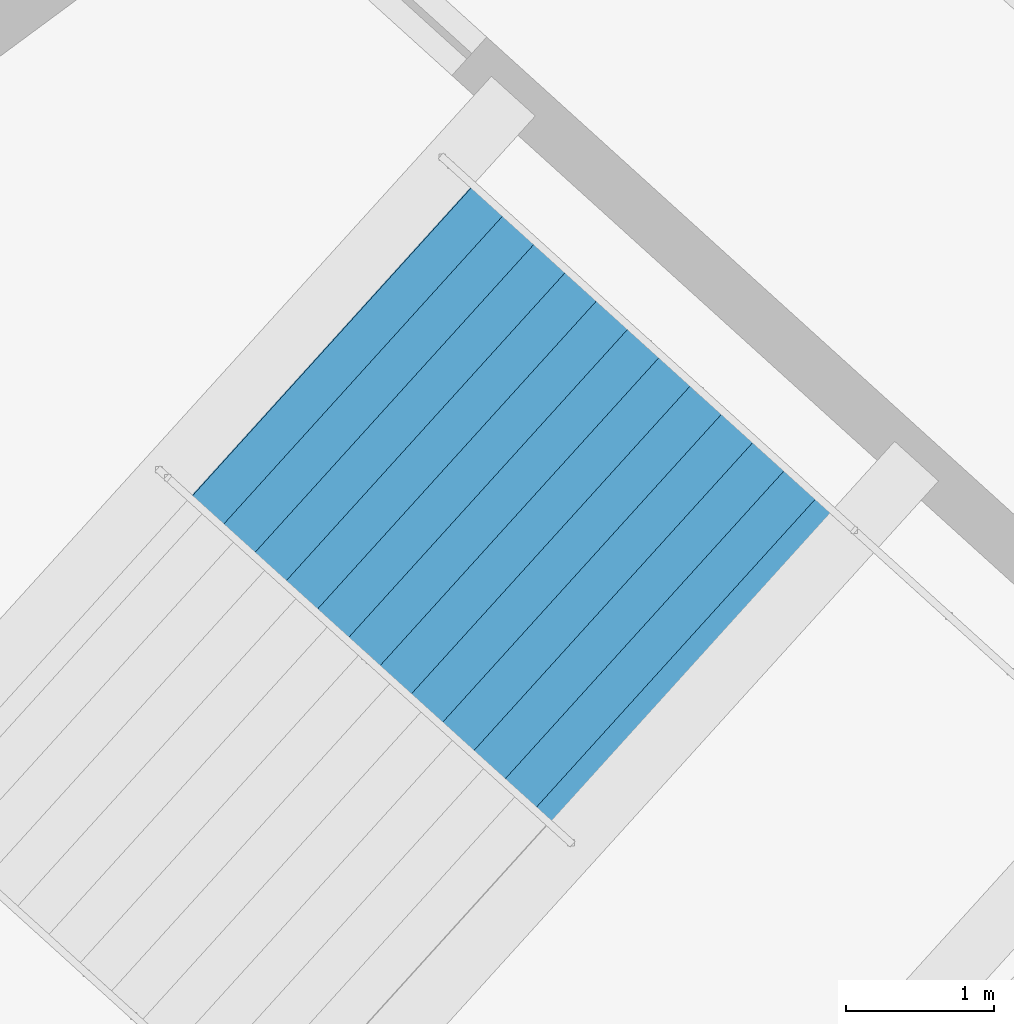
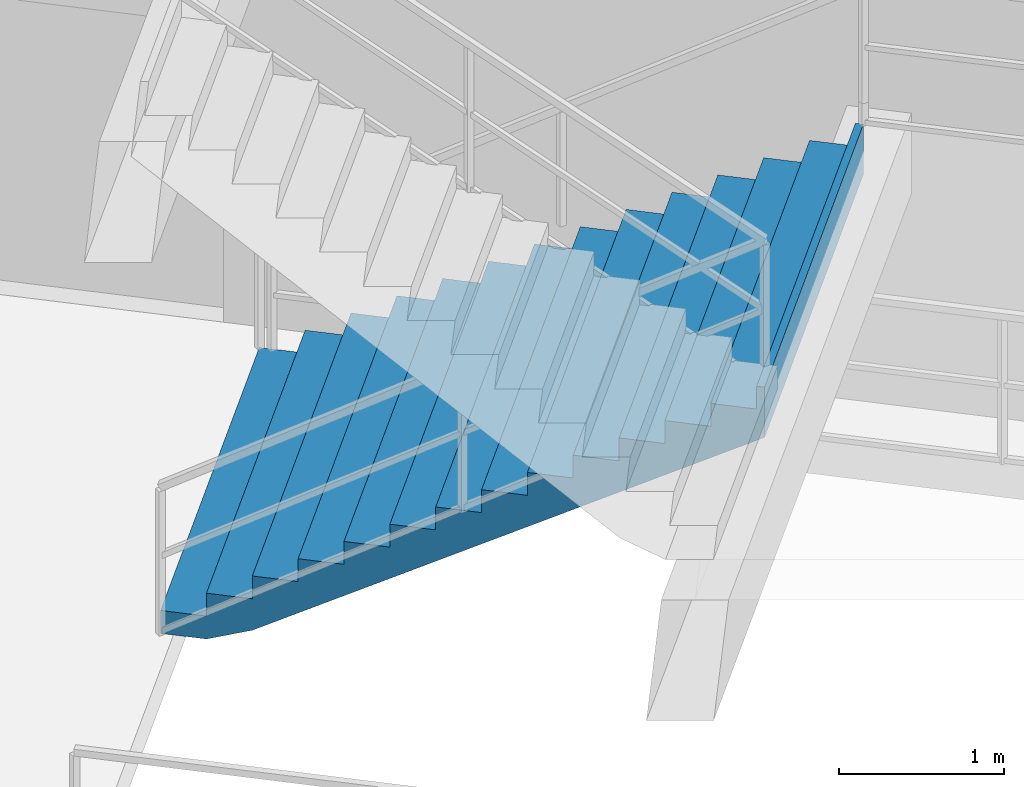
# One storey, part 141 of 171: 1 stair flight, 1 element without a shape of its own.
"""IFC4 building model written with IfcOpenShell, lengths in metres."""

from ifc_helpers import new_model, si_unit, direction, frame, origin, place, context, subcontext, project, spatial, polygons, material, type_object, element, aggregate, save


model = new_model("IFC4")

# Units and contexts
model_context = context("Model", 3, precision=1e-05, world=origin(), true_north=direction((0.0, 1.0)))
body_context = subcontext(model_context, "Body", "Model", "MODEL_VIEW")
ifc_project = project(units=[si_unit("LENGTHUNIT", "METRE"), si_unit("AREAUNIT", "SQUARE_METRE"), si_unit("VOLUMEUNIT", "CUBIC_METRE"), si_unit("PLANEANGLEUNIT", "RADIAN"), si_unit("MASSUNIT", "GRAM", prefix="KILO")], contexts=[model_context])

# Site, building, storey
site_placement = place(None, origin())
site = spatial("IfcSite", under=ifc_project, at=site_placement, CompositionType="ELEMENT")
building_placement = place(site_placement, origin())
building = spatial("IfcBuilding", under=site, at=building_placement, Name="Kazemori Nagisa Stadium", CompositionType="ELEMENT")
storey_placement = place(building_placement, frame((0.0, 0.0, 15.639892578125)))
storey = spatial("IfcBuildingStorey", under=building, at=storey_placement, Name="L03", CompositionType="ELEMENT", Elevation=15.639892578125)

# Stair, stair flight
ifc_material = material(Name="Concrete C36/45 (Fc36)", Category="concrete")
stair_type = type_object("IfcStairType", Name="Stair_CORE_28", PredefinedType="TWO_STRAIGHT_RUN_STAIR", material=ifc_material)
stair_placement = place(storey_placement, origin())
stair = element("IfcStair", 1, at=stair_placement, inside=storey, type_object=stair_type, Name="Exit stair ST03 L03", PredefinedType="TWO_STRAIGHT_RUN_STAIR")
stair_flight_type = type_object("IfcStairFlightType", Name="Flight_CORE_14", PredefinedType="STRAIGHT", material=ifc_material)
stair_flight_placement = place(storey_placement, frame((54.10791015625, 47.6630859375, 0.0), z_axis=(0.0, 0.0, 1.0), x_axis=(0.741354671431, -0.67111344134, 0.0)))
stair_flight = element("IfcStairFlight", 2, at=stair_flight_placement, type_object=stair_flight_type, Name="Exit stair ST03 L03 flight 1", NumberOfRisers=14, NumberOfTreads=13, PredefinedType="STRAIGHT", RiserHeight=0.17, TreadLength=0.285, context=body_context, shape_type="Tessellation", body=[
    polygons([(0.0, -1.425048828125, 0.0), (0.0, -1.425048828125, 0.169921875), (0.284912109375, -1.425048828125, 0.169921875), (0.284912109375, -1.425048828125, 0.340087890625), (0.570068359375, -1.425048828125, 0.340087890625), (0.570068359375, -1.425048828125, 0.510009765625), (0.85498046875, -1.425048828125, 0.510009765625), (0.85498046875, -1.425048828125, 0.679931640625), (1.139892578125, -1.425048828125, 0.679931640625), (1.139892578125, -1.425048828125, 0.85009765625), (1.425048828125, -1.425048828125, 0.85009765625), (1.425048828125, -1.425048828125, 1.02001953125), (1.7099609375, -1.425048828125, 1.02001953125), (1.7099609375, -1.425048828125, 1.18994140625), (1.9951171875, -1.425048828125, 1.18994140625), (1.9951171875, -1.425048828125, 1.360107421875), (2.280029296875, -1.425048828125, 1.360107421875), (2.280029296875, -1.425048828125, 1.530029296875), (2.56494140625, -1.425048828125, 1.530029296875), (2.56494140625, -1.425048828125, 1.699951171875), (2.85009765625, -1.425048828125, 1.699951171875), (2.85009765625, -1.425048828125, 1.8701171875), (3.135009765625, -1.425048828125, 1.8701171875), (3.135009765625, -1.425048828125, 2.0400390625), (3.419921875, -1.425048828125, 2.0400390625), (3.419921875, -1.425048828125, 2.2099609375), (3.705078125, -1.425048828125, 2.2099609375), (3.705078125, -1.425048828125, 2.3798828125), (3.7548828125, -1.425048828125, 2.3798828125), (3.7548828125, -1.425048828125, 2.007080078125), (3.705078125, -1.425048828125, 1.977294921875), (3.419921875, -1.425048828125, 1.80712890625), (3.135009765625, -1.425048828125, 1.63720703125), (2.85009765625, -1.425048828125, 1.46728515625), (2.56494140625, -1.425048828125, 1.297119140625), (2.280029296875, -1.425048828125, 1.127197265625), (1.9951171875, -1.425048828125, 0.957275390625), (1.7099609375, -1.425048828125, 0.787109375), (1.425048828125, -1.425048828125, 0.6171875), (1.139892578125, -1.425048828125, 0.447265625), (0.85498046875, -1.425048828125, 0.277099609375), (0.570068359375, -1.425048828125, 0.107177734375), (0.284912109375, -1.425048828125, 0.0), (0.0, -0.08544921875, 0.0), (0.0, -0.08544921875, 0.169921875), (0.284912109375, -0.08544921875, 0.169921875), (0.284912109375, -0.08544921875, 0.340087890625), (0.570068359375, -0.08544921875, 0.340087890625), (0.570068359375, -0.08544921875, 0.510009765625), (0.85498046875, -0.08544921875, 0.510009765625), (0.85498046875, -0.08544921875, 0.679931640625), (1.139892578125, -0.08544921875, 0.679931640625), (1.139892578125, -0.08544921875, 0.85009765625), (1.425048828125, -0.08544921875, 0.85009765625), (1.425048828125, -0.08544921875, 1.02001953125), (1.7099609375, -0.08544921875, 1.02001953125), (1.7099609375, -0.08544921875, 1.18994140625), (1.9951171875, -0.08544921875, 1.18994140625), (1.9951171875, -0.08544921875, 1.360107421875), (2.280029296875, -0.08544921875, 1.360107421875), (2.280029296875, -0.08544921875, 1.530029296875), (2.56494140625, -0.08544921875, 1.530029296875), (2.56494140625, -0.08544921875, 1.699951171875), (2.85009765625, -0.08544921875, 1.699951171875), (2.85009765625, -0.08544921875, 1.8701171875), (3.135009765625, -0.08544921875, 1.8701171875), (3.135009765625, -0.08544921875, 2.0400390625), (3.419921875, -0.08544921875, 2.0400390625), (3.419921875, -0.08544921875, 2.2099609375), (3.705078125, -0.08544921875, 2.2099609375), (3.705078125, -0.08544921875, 2.3798828125), (3.7548828125, -0.08544921875, 2.3798828125), (3.7548828125, -0.08544921875, 2.007080078125), (3.705078125, -0.08544921875, 1.977294921875), (3.419921875, -0.08544921875, 1.80712890625), (3.135009765625, -0.08544921875, 1.63720703125), (2.85009765625, -0.08544921875, 1.46728515625), (2.56494140625, -0.08544921875, 1.297119140625), (2.280029296875, -0.08544921875, 1.127197265625), (1.9951171875, -0.08544921875, 0.957275390625), (1.7099609375, -0.08544921875, 0.787109375), (1.425048828125, -0.08544921875, 0.6171875), (1.139892578125, -0.08544921875, 0.447265625), (0.85498046875, -0.08544921875, 0.277099609375), (0.570068359375, -0.08544921875, 0.107177734375), (0.284912109375, -0.08544921875, 0.0), (0.0, 0.0, 0.0), (0.0, 0.0, 0.169921875), (0.284912109375, 0.0, 0.169921875), (0.284912109375, 0.0, 0.340087890625), (0.570068359375, 0.0, 0.340087890625), (0.570068359375, 0.0, 0.510009765625), (0.85498046875, 0.0, 0.510009765625), (0.85498046875, 0.0, 0.679931640625), (1.139892578125, 0.0, 0.679931640625), (1.139892578125, 0.0, 0.85009765625), (1.425048828125, 0.0, 0.85009765625), (1.425048828125, 0.0, 1.02001953125), (1.7099609375, 0.0, 1.02001953125), (1.7099609375, 0.0, 1.18994140625), (1.9951171875, 0.0, 1.18994140625), (1.9951171875, 0.0, 1.360107421875), (2.280029296875, 0.0, 1.360107421875), (2.280029296875, 0.0, 1.530029296875), (2.56494140625, 0.0, 1.530029296875), (2.56494140625, 0.0, 1.699951171875), (2.85009765625, 0.0, 1.699951171875), (2.85009765625, 0.0, 1.8701171875), (3.135009765625, 0.0, 1.8701171875), (3.135009765625, 0.0, 2.0400390625), (3.419921875, 0.0, 2.0400390625), (3.419921875, 0.0, 2.2099609375), (3.705078125, 0.0, 2.2099609375), (3.705078125, 0.0, 2.3798828125), (3.7548828125, 0.0, 2.3798828125), (3.7548828125, 0.0, 2.007080078125), (3.705078125, 0.0, 1.977294921875), (3.419921875, 0.0, 1.80712890625), (3.135009765625, 0.0, 1.63720703125), (2.85009765625, 0.0, 1.46728515625), (2.56494140625, 0.0, 1.297119140625), (2.280029296875, 0.0, 1.127197265625), (1.9951171875, 0.0, 0.957275390625), (1.7099609375, 0.0, 0.787109375), (1.425048828125, 0.0, 0.6171875), (1.139892578125, 0.0, 0.447265625), (0.85498046875, 0.0, 0.277099609375), (0.570068359375, 0.0, 0.107177734375), (0.284912109375, 0.0, 0.0), (0.0, 0.08544921875, 0.0), (0.0, 0.08544921875, 0.169921875), (0.284912109375, 0.08544921875, 0.169921875), (0.284912109375, 0.08544921875, 0.340087890625), (0.570068359375, 0.08544921875, 0.340087890625), (0.570068359375, 0.08544921875, 0.510009765625), (0.85498046875, 0.08544921875, 0.510009765625), (0.85498046875, 0.08544921875, 0.679931640625), (1.139892578125, 0.08544921875, 0.679931640625), (1.139892578125, 0.08544921875, 0.85009765625), (1.425048828125, 0.08544921875, 0.85009765625), (1.425048828125, 0.08544921875, 1.02001953125), (1.7099609375, 0.08544921875, 1.02001953125), (1.7099609375, 0.08544921875, 1.18994140625), (1.9951171875, 0.08544921875, 1.18994140625), (1.9951171875, 0.08544921875, 1.360107421875), (2.280029296875, 0.08544921875, 1.360107421875), (2.280029296875, 0.08544921875, 1.530029296875), (2.56494140625, 0.08544921875, 1.530029296875), (2.56494140625, 0.08544921875, 1.699951171875), (2.85009765625, 0.08544921875, 1.699951171875), (2.85009765625, 0.08544921875, 1.8701171875), (3.135009765625, 0.08544921875, 1.8701171875), (3.135009765625, 0.08544921875, 2.0400390625), (3.419921875, 0.08544921875, 2.0400390625), (3.419921875, 0.08544921875, 2.2099609375), (3.705078125, 0.08544921875, 2.2099609375), (3.705078125, 0.08544921875, 2.3798828125), (3.7548828125, 0.08544921875, 2.3798828125), (3.7548828125, 0.08544921875, 2.007080078125), (3.705078125, 0.08544921875, 1.977294921875), (3.419921875, 0.08544921875, 1.80712890625), (3.135009765625, 0.08544921875, 1.63720703125), (2.85009765625, 0.08544921875, 1.46728515625), (2.56494140625, 0.08544921875, 1.297119140625), (2.280029296875, 0.08544921875, 1.127197265625), (1.9951171875, 0.08544921875, 0.957275390625), (1.7099609375, 0.08544921875, 0.787109375), (1.425048828125, 0.08544921875, 0.6171875), (1.139892578125, 0.08544921875, 0.447265625), (0.85498046875, 0.08544921875, 0.277099609375), (0.570068359375, 0.08544921875, 0.107177734375), (0.284912109375, 0.08544921875, 0.0), (0.0, 1.425048828125, 0.0), (0.0, 1.425048828125, 0.169921875), (0.284912109375, 1.425048828125, 0.169921875), (0.284912109375, 1.425048828125, 0.340087890625), (0.570068359375, 1.425048828125, 0.340087890625), (0.570068359375, 1.425048828125, 0.510009765625), (0.85498046875, 1.425048828125, 0.510009765625), (0.85498046875, 1.425048828125, 0.679931640625), (1.139892578125, 1.425048828125, 0.679931640625), (1.139892578125, 1.425048828125, 0.85009765625), (1.425048828125, 1.425048828125, 0.85009765625), (1.425048828125, 1.425048828125, 1.02001953125), (1.7099609375, 1.425048828125, 1.02001953125), (1.7099609375, 1.425048828125, 1.18994140625), (1.9951171875, 1.425048828125, 1.18994140625), (1.9951171875, 1.425048828125, 1.360107421875), (2.280029296875, 1.425048828125, 1.360107421875), (2.280029296875, 1.425048828125, 1.530029296875), (2.56494140625, 1.425048828125, 1.530029296875), (2.56494140625, 1.425048828125, 1.699951171875), (2.85009765625, 1.425048828125, 1.699951171875), (2.85009765625, 1.425048828125, 1.8701171875), (3.135009765625, 1.425048828125, 1.8701171875), (3.135009765625, 1.425048828125, 2.0400390625), (3.419921875, 1.425048828125, 2.0400390625), (3.419921875, 1.425048828125, 2.2099609375), (3.705078125, 1.425048828125, 2.2099609375), (3.705078125, 1.425048828125, 2.3798828125), (3.7548828125, 1.425048828125, 2.3798828125), (3.7548828125, 1.425048828125, 2.007080078125), (3.705078125, 1.425048828125, 1.977294921875), (3.419921875, 1.425048828125, 1.80712890625), (3.135009765625, 1.425048828125, 1.63720703125), (2.85009765625, 1.425048828125, 1.46728515625), (2.56494140625, 1.425048828125, 1.297119140625), (2.280029296875, 1.425048828125, 1.127197265625), (1.9951171875, 1.425048828125, 0.957275390625), (1.7099609375, 1.425048828125, 0.787109375), (1.425048828125, 1.425048828125, 0.6171875), (1.139892578125, 1.425048828125, 0.447265625), (0.85498046875, 1.425048828125, 0.277099609375), (0.570068359375, 1.425048828125, 0.107177734375), (0.284912109375, 1.425048828125, 0.0)], [[[1, 2, 45]], [[1, 45, 44]], [[2, 3, 46]], [[2, 46, 45]], [[3, 4, 47]], [[3, 47, 46]], [[4, 5, 48]], [[4, 48, 47]], [[5, 6, 49]], [[5, 49, 48]], [[6, 7, 50]], [[6, 50, 49]], [[7, 8, 51]], [[7, 51, 50]], [[8, 9, 52]], [[8, 52, 51]], [[9, 10, 53]], [[9, 53, 52]], [[10, 11, 54]], [[10, 54, 53]], [[11, 12, 55]], [[11, 55, 54]], [[12, 13, 56]], [[12, 56, 55]], [[13, 14, 57]], [[13, 57, 56]], [[14, 15, 58]], [[14, 58, 57]], [[15, 16, 59]], [[15, 59, 58]], [[16, 17, 60]], [[16, 60, 59]], [[17, 18, 61]], [[17, 61, 60]], [[18, 19, 62]], [[18, 62, 61]], [[19, 20, 63]], [[19, 63, 62]], [[20, 21, 64]], [[20, 64, 63]], [[21, 22, 65]], [[21, 65, 64]], [[22, 23, 66]], [[22, 66, 65]], [[23, 24, 67]], [[23, 67, 66]], [[24, 25, 68]], [[24, 68, 67]], [[25, 26, 69]], [[25, 69, 68]], [[26, 27, 70]], [[26, 70, 69]], [[27, 28, 71]], [[27, 71, 70]], [[28, 29, 72]], [[28, 72, 71]], [[29, 30, 73]], [[29, 73, 72]], [[30, 31, 74]], [[30, 74, 73]], [[31, 32, 75]], [[31, 75, 74]], [[32, 33, 76]], [[32, 76, 75]], [[33, 34, 77]], [[33, 77, 76]], [[34, 35, 78]], [[34, 78, 77]], [[35, 36, 79]], [[35, 79, 78]], [[36, 37, 80]], [[36, 80, 79]], [[37, 38, 81]], [[37, 81, 80]], [[38, 39, 82]], [[38, 82, 81]], [[39, 40, 83]], [[39, 83, 82]], [[40, 41, 84]], [[40, 84, 83]], [[41, 42, 85]], [[41, 85, 84]], [[42, 43, 86]], [[42, 86, 85]], [[43, 1, 44]], [[43, 44, 86]], [[44, 45, 88]], [[44, 88, 87]], [[45, 46, 89]], [[45, 89, 88]], [[46, 47, 90]], [[46, 90, 89]], [[47, 48, 91]], [[47, 91, 90]], [[48, 49, 92]], [[48, 92, 91]], [[49, 50, 93]], [[49, 93, 92]], [[50, 51, 94]], [[50, 94, 93]], [[51, 52, 95]], [[51, 95, 94]], [[52, 53, 96]], [[52, 96, 95]], [[53, 54, 97]], [[53, 97, 96]], [[54, 55, 98]], [[54, 98, 97]], [[55, 56, 99]], [[55, 99, 98]], [[56, 57, 100]], [[56, 100, 99]], [[57, 58, 101]], [[57, 101, 100]], [[58, 59, 102]], [[58, 102, 101]], [[59, 60, 103]], [[59, 103, 102]], [[60, 61, 104]], [[60, 104, 103]], [[61, 62, 105]], [[61, 105, 104]], [[62, 63, 106]], [[62, 106, 105]], [[63, 64, 107]], [[63, 107, 106]], [[64, 65, 108]], [[64, 108, 107]], [[65, 66, 109]], [[65, 109, 108]], [[66, 67, 110]], [[66, 110, 109]], [[67, 68, 111]], [[67, 111, 110]], [[68, 69, 112]], [[68, 112, 111]], [[69, 70, 113]], [[69, 113, 112]], [[70, 71, 114]], [[70, 114, 113]], [[71, 72, 115]], [[71, 115, 114]], [[72, 73, 116]], [[72, 116, 115]], [[73, 74, 117]], [[73, 117, 116]], [[74, 75, 118]], [[74, 118, 117]], [[75, 76, 119]], [[75, 119, 118]], [[76, 77, 120]], [[76, 120, 119]], [[77, 78, 121]], [[77, 121, 120]], [[78, 79, 122]], [[78, 122, 121]], [[79, 80, 123]], [[79, 123, 122]], [[80, 81, 124]], [[80, 124, 123]], [[81, 82, 125]], [[81, 125, 124]], [[82, 83, 126]], [[82, 126, 125]], [[83, 84, 127]], [[83, 127, 126]], [[84, 85, 128]], [[84, 128, 127]], [[85, 86, 129]], [[85, 129, 128]], [[86, 44, 87]], [[86, 87, 129]], [[87, 88, 131]], [[87, 131, 130]], [[88, 89, 132]], [[88, 132, 131]], [[89, 90, 133]], [[89, 133, 132]], [[90, 91, 134]], [[90, 134, 133]], [[91, 92, 135]], [[91, 135, 134]], [[92, 93, 136]], [[92, 136, 135]], [[93, 94, 137]], [[93, 137, 136]], [[94, 95, 138]], [[94, 138, 137]], [[95, 96, 139]], [[95, 139, 138]], [[96, 97, 140]], [[96, 140, 139]], [[97, 98, 141]], [[97, 141, 140]], [[98, 99, 142]], [[98, 142, 141]], [[99, 100, 143]], [[99, 143, 142]], [[100, 101, 144]], [[100, 144, 143]], [[101, 102, 145]], [[101, 145, 144]], [[102, 103, 146]], [[102, 146, 145]], [[103, 104, 147]], [[103, 147, 146]], [[104, 105, 148]], [[104, 148, 147]], [[105, 106, 149]], [[105, 149, 148]], [[106, 107, 150]], [[106, 150, 149]], [[107, 108, 151]], [[107, 151, 150]], [[108, 109, 152]], [[108, 152, 151]], [[109, 110, 153]], [[109, 153, 152]], [[110, 111, 154]], [[110, 154, 153]], [[111, 112, 155]], [[111, 155, 154]], [[112, 113, 156]], [[112, 156, 155]], [[113, 114, 157]], [[113, 157, 156]], [[114, 115, 158]], [[114, 158, 157]], [[115, 116, 159]], [[115, 159, 158]], [[116, 117, 160]], [[116, 160, 159]], [[117, 118, 161]], [[117, 161, 160]], [[118, 119, 162]], [[118, 162, 161]], [[119, 120, 163]], [[119, 163, 162]], [[120, 121, 164]], [[120, 164, 163]], [[121, 122, 165]], [[121, 165, 164]], [[122, 123, 166]], [[122, 166, 165]], [[123, 124, 167]], [[123, 167, 166]], [[124, 125, 168]], [[124, 168, 167]], [[125, 126, 169]], [[125, 169, 168]], [[126, 127, 170]], [[126, 170, 169]], [[127, 128, 171]], [[127, 171, 170]], [[128, 129, 172]], [[128, 172, 171]], [[129, 87, 130]], [[129, 130, 172]], [[130, 131, 174]], [[130, 174, 173]], [[131, 132, 175]], [[131, 175, 174]], [[132, 133, 176]], [[132, 176, 175]], [[133, 134, 177]], [[133, 177, 176]], [[134, 135, 178]], [[134, 178, 177]], [[135, 136, 179]], [[135, 179, 178]], [[136, 137, 180]], [[136, 180, 179]], [[137, 138, 181]], [[137, 181, 180]], [[138, 139, 182]], [[138, 182, 181]], [[139, 140, 183]], [[139, 183, 182]], [[140, 141, 184]], [[140, 184, 183]], [[141, 142, 185]], [[141, 185, 184]], [[142, 143, 186]], [[142, 186, 185]], [[143, 144, 187]], [[143, 187, 186]], [[144, 145, 188]], [[144, 188, 187]], [[145, 146, 189]], [[145, 189, 188]], [[146, 147, 190]], [[146, 190, 189]], [[147, 148, 191]], [[147, 191, 190]], [[148, 149, 192]], [[148, 192, 191]], [[149, 150, 193]], [[149, 193, 192]], [[150, 151, 194]], [[150, 194, 193]], [[151, 152, 195]], [[151, 195, 194]], [[152, 153, 196]], [[152, 196, 195]], [[153, 154, 197]], [[153, 197, 196]], [[154, 155, 198]], [[154, 198, 197]], [[155, 156, 199]], [[155, 199, 198]], [[156, 157, 200]], [[156, 200, 199]], [[157, 158, 201]], [[157, 201, 200]], [[158, 159, 202]], [[158, 202, 201]], [[159, 160, 203]], [[159, 203, 202]], [[160, 161, 204]], [[160, 204, 203]], [[161, 162, 205]], [[161, 205, 204]], [[162, 163, 206]], [[162, 206, 205]], [[163, 164, 207]], [[163, 207, 206]], [[164, 165, 208]], [[164, 208, 207]], [[165, 166, 209]], [[165, 209, 208]], [[166, 167, 210]], [[166, 210, 209]], [[167, 168, 211]], [[167, 211, 210]], [[168, 169, 212]], [[168, 212, 211]], [[169, 170, 213]], [[169, 213, 212]], [[170, 171, 214]], [[170, 214, 213]], [[171, 172, 215]], [[171, 215, 214]], [[172, 130, 173]], [[172, 173, 215]], [[3, 2, 1]], [[173, 174, 175]], [[43, 3, 1]], [[173, 175, 215]], [[42, 3, 43]], [[215, 175, 214]], [[5, 3, 42]], [[214, 175, 177]], [[5, 4, 3]], [[175, 176, 177]], [[41, 5, 42]], [[214, 177, 213]], [[7, 5, 41]], [[213, 177, 179]], [[7, 6, 5]], [[177, 178, 179]], [[40, 7, 41]], [[213, 179, 212]], [[9, 7, 40]], [[212, 179, 181]], [[9, 8, 7]], [[179, 180, 181]], [[39, 9, 40]], [[212, 181, 211]], [[11, 9, 39]], [[211, 181, 183]], [[11, 10, 9]], [[181, 182, 183]], [[38, 11, 39]], [[211, 183, 210]], [[13, 11, 38]], [[210, 183, 185]], [[13, 12, 11]], [[183, 184, 185]], [[37, 13, 38]], [[210, 185, 209]], [[15, 13, 37]], [[209, 185, 187]], [[15, 14, 13]], [[185, 186, 187]], [[36, 15, 37]], [[209, 187, 208]], [[17, 15, 36]], [[208, 187, 189]], [[17, 16, 15]], [[187, 188, 189]], [[35, 17, 36]], [[208, 189, 207]], [[19, 17, 35]], [[207, 189, 191]], [[19, 18, 17]], [[189, 190, 191]], [[34, 19, 35]], [[207, 191, 206]], [[21, 19, 34]], [[206, 191, 193]], [[21, 20, 19]], [[191, 192, 193]], [[33, 21, 34]], [[206, 193, 205]], [[23, 21, 33]], [[205, 193, 195]], [[23, 22, 21]], [[193, 194, 195]], [[32, 23, 33]], [[205, 195, 204]], [[25, 23, 32]], [[204, 195, 197]], [[25, 24, 23]], [[195, 196, 197]], [[31, 25, 32]], [[204, 197, 203]], [[27, 25, 31]], [[203, 197, 199]], [[27, 26, 25]], [[197, 198, 199]], [[30, 27, 31]], [[203, 199, 202]], [[29, 27, 30]], [[202, 199, 201]], [[29, 28, 27]], [[199, 200, 201]]], closed=True),
])
aggregate(stair, [stair_flight])

save(model, "model.ifc")
